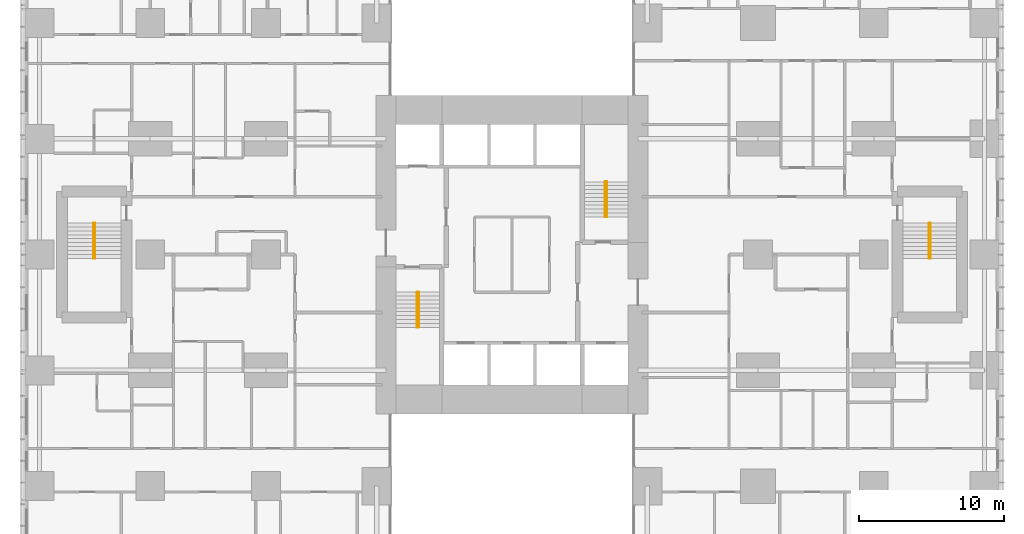
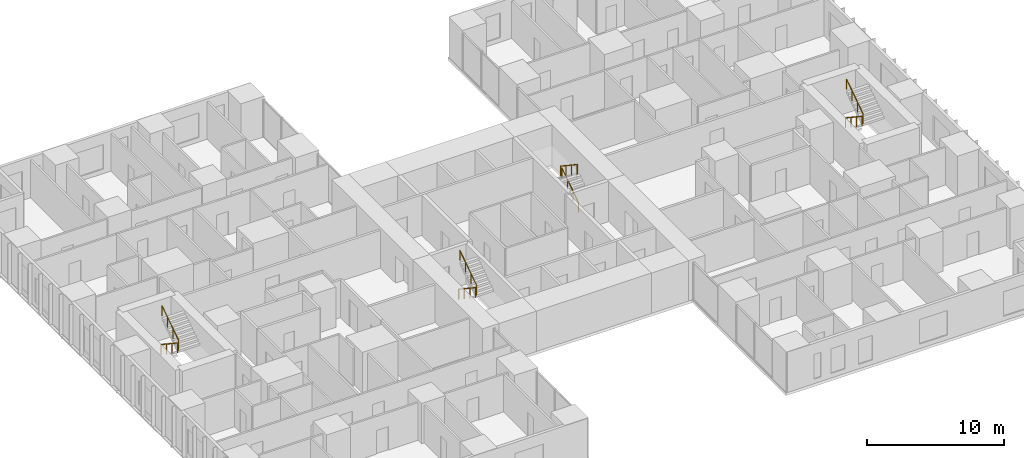
# One storey, part 20 of 20: 8 railings.
"""IFC4 building model written with IfcOpenShell, lengths in metres."""

from ifc_helpers import new_model, si_unit, direction, frame, origin, origin_2d, place, context, subcontext, project, spatial, circle, extrude, material, type_object, element, save


model = new_model("IFC4")

# Units and contexts
model_context = context("Model", 3, precision=1e-05, world=origin(), true_north=direction((0.0, 1.0)))
body_context = subcontext(model_context, "Body", "Model", "MODEL_VIEW")
ifc_project = project(units=[si_unit("LENGTHUNIT", "METRE"), si_unit("AREAUNIT", "SQUARE_METRE"), si_unit("VOLUMEUNIT", "CUBIC_METRE"), si_unit("PLANEANGLEUNIT", "RADIAN"), si_unit("MASSUNIT", "GRAM", prefix="KILO")], contexts=[model_context])

# Site, building, storey
site_placement = place(None, origin())
site = spatial("IfcSite", under=ifc_project, at=site_placement, CompositionType="ELEMENT")
building_placement = place(site_placement, origin())
building = spatial("IfcBuilding", under=site, at=building_placement, Name="Cleftline Residences", CompositionType="ELEMENT")
storey_placement = place(building_placement, frame((0.0, 0.0, 114.199951171875)))
storey = spatial("IfcBuildingStorey", under=building, at=storey_placement, Name="L29", CompositionType="ELEMENT", Elevation=114.199951171875)

# Railings
ifc_material = material(Name="Stainless steel", Category="steel")
railing_type = type_object("IfcRailingType", Name="HANDRAIL 900", PredefinedType="HANDRAIL", material=ifc_material)
railing_1_placement = place(storey_placement, frame((26.449951171875, 21.39990234375, 0.179931640625)))
element("IfcRailing", 1, at=railing_1_placement, inside=storey, type_object=railing_type, Name="Stair handrail", PredefinedType="HANDRAIL", context=body_context, shape_type="SweptSolid", body=[
    extrude(circle(Radius=0.02392578125, at=origin_2d()), frame((0.0, 0.0, 0.8759765625), z_axis=(0.0, -0.832024571796, 0.554738778101), x_axis=(1.0, 0.0, 0.0)), (0.0, 0.0, 1.0), 2.92041015625),
    extrude(circle(Radius=0.02099609375, at=origin_2d()), origin(), (0.0, 0.0, 1.0), 0.851806640625),
    extrude(circle(Radius=0.02099609375, at=origin_2d()), frame((0.0, -0.81005859375, 0.5400390625)), (0.0, 0.0, 1.0), 0.851806640625),
    extrude(circle(Radius=0.02099609375, at=origin_2d()), frame((0.0, -1.619873046875, 1.080078125)), (0.0, 0.0, 1.0), 0.851806640625),
    extrude(circle(Radius=0.02099609375, at=origin_2d()), frame((0.0, -2.429931640625, 1.6201171875)), (0.0, 0.0, 1.0), 0.851806640625),
])
for number, where, name in (
    (2, (26.550048828125, 18.969970703125, 1.97998046875), "Stair handrail"),
    (3, (39.550048828125, 26.60009765625, 0.179931640625), "Stair handrail"),
):
    element("IfcRailing", number, at=place(storey_placement, frame(where)), inside=storey, type_object=railing_type, Name=name, PredefinedType="HANDRAIL", context=body_context, shape_type="SweptSolid", body=[
        extrude(circle(Radius=0.02392578125, at=origin_2d()), frame((0.0, 0.0, 0.8759765625), z_axis=(0.0, 0.832024571796, 0.554738778101), x_axis=(-1.0, 0.0, 0.0)), (0.0, 0.0, 1.0), 2.92041015625),
        extrude(circle(Radius=0.02099609375, at=origin_2d()), origin(), (0.0, 0.0, 1.0), 0.851806640625),
        extrude(circle(Radius=0.02099609375, at=origin_2d()), frame((0.0, 0.81005859375, 0.5400390625)), (0.0, 0.0, 1.0), 0.851806640625),
        extrude(circle(Radius=0.02099609375, at=origin_2d()), frame((0.0, 1.619873046875, 1.080078125)), (0.0, 0.0, 1.0), 0.851806640625),
        extrude(circle(Radius=0.02099609375, at=origin_2d()), frame((0.0, 2.429931640625, 1.6201171875)), (0.0, 0.0, 1.0), 0.851806640625),
    ])
for number, where, name in (
    (4, (39.449951171875, 29.030029296875, 1.97998046875), "Stair handrail"),
    (5, (61.824951171875, 26.175048828125, 0.179931640625), "Stair handrail"),
):
    element("IfcRailing", number, at=place(storey_placement, frame(where)), inside=storey, type_object=railing_type, Name=name, PredefinedType="HANDRAIL", context=body_context, shape_type="SweptSolid", body=[
        extrude(circle(Radius=0.02392578125, at=origin_2d()), frame((0.0, 0.0, 0.8759765625), z_axis=(0.0, -0.832024571796, 0.554738778101), x_axis=(1.0, 0.0, 0.0)), (0.0, 0.0, 1.0), 2.92041015625),
        extrude(circle(Radius=0.02099609375, at=origin_2d()), origin(), (0.0, 0.0, 1.0), 0.851806640625),
        extrude(circle(Radius=0.02099609375, at=origin_2d()), frame((0.0, -0.81005859375, 0.5400390625)), (0.0, 0.0, 1.0), 0.851806640625),
        extrude(circle(Radius=0.02099609375, at=origin_2d()), frame((0.0, -1.619873046875, 1.080078125)), (0.0, 0.0, 1.0), 0.851806640625),
        extrude(circle(Radius=0.02099609375, at=origin_2d()), frame((0.0, -2.429931640625, 1.6201171875)), (0.0, 0.0, 1.0), 0.851806640625),
    ])
railing_2_placement = place(storey_placement, frame((61.925048828125, 23.7451171875, 1.97998046875)))
element("IfcRailing", 6, at=railing_2_placement, inside=storey, type_object=railing_type, Name="Stair handrail", PredefinedType="HANDRAIL", context=body_context, shape_type="SweptSolid", body=[
    extrude(circle(Radius=0.02392578125, at=origin_2d()), frame((0.0, 0.0, 0.8759765625), z_axis=(0.0, 0.832024571796, 0.554738778101), x_axis=(-1.0, 0.0, 0.0)), (0.0, 0.0, 1.0), 2.92041015625),
    extrude(circle(Radius=0.02099609375, at=origin_2d()), origin(), (0.0, 0.0, 1.0), 0.851806640625),
    extrude(circle(Radius=0.02099609375, at=origin_2d()), frame((0.0, 0.81005859375, 0.5400390625)), (0.0, 0.0, 1.0), 0.851806640625),
    extrude(circle(Radius=0.02099609375, at=origin_2d()), frame((0.0, 1.619873046875, 1.080078125)), (0.0, 0.0, 1.0), 0.851806640625),
    extrude(circle(Radius=0.02099609375, at=origin_2d()), frame((0.0, 2.429931640625, 1.6201171875)), (0.0, 0.0, 1.0), 0.851806640625),
])
railing_3_placement = place(storey_placement, frame((4.074951171875, 26.175048828125, 0.179931640625)))
element("IfcRailing", 7, at=railing_3_placement, inside=storey, type_object=railing_type, Name="Stair handrail", PredefinedType="HANDRAIL", context=body_context, shape_type="SweptSolid", body=[
    extrude(circle(Radius=0.02392578125, at=origin_2d()), frame((0.0, 0.0, 0.8759765625), z_axis=(0.0, -0.832024571796, 0.554738778101), x_axis=(1.0, 0.0, 0.0)), (0.0, 0.0, 1.0), 2.92041015625),
    extrude(circle(Radius=0.02099609375, at=origin_2d()), origin(), (0.0, 0.0, 1.0), 0.851806640625),
    extrude(circle(Radius=0.02099609375, at=origin_2d()), frame((0.0, -0.81005859375, 0.5400390625)), (0.0, 0.0, 1.0), 0.851806640625),
    extrude(circle(Radius=0.02099609375, at=origin_2d()), frame((0.0, -1.619873046875, 1.080078125)), (0.0, 0.0, 1.0), 0.851806640625),
    extrude(circle(Radius=0.02099609375, at=origin_2d()), frame((0.0, -2.429931640625, 1.6201171875)), (0.0, 0.0, 1.0), 0.851806640625),
])
railing_4_placement = place(storey_placement, frame((4.175048828125, 23.7451171875, 1.97998046875)))
element("IfcRailing", 8, at=railing_4_placement, inside=storey, type_object=railing_type, Name="Stair handrail", PredefinedType="HANDRAIL", context=body_context, shape_type="SweptSolid", body=[
    extrude(circle(Radius=0.02392578125, at=origin_2d()), frame((0.0, 0.0, 0.8759765625), z_axis=(0.0, 0.832024571796, 0.554738778101), x_axis=(-1.0, 0.0, 0.0)), (0.0, 0.0, 1.0), 2.92041015625),
    extrude(circle(Radius=0.02099609375, at=origin_2d()), origin(), (0.0, 0.0, 1.0), 0.851806640625),
    extrude(circle(Radius=0.02099609375, at=origin_2d()), frame((0.0, 0.81005859375, 0.5400390625)), (0.0, 0.0, 1.0), 0.851806640625),
    extrude(circle(Radius=0.02099609375, at=origin_2d()), frame((0.0, 1.619873046875, 1.080078125)), (0.0, 0.0, 1.0), 0.851806640625),
    extrude(circle(Radius=0.02099609375, at=origin_2d()), frame((0.0, 2.429931640625, 1.6201171875)), (0.0, 0.0, 1.0), 0.851806640625),
])

save(model, "model.ifc")
